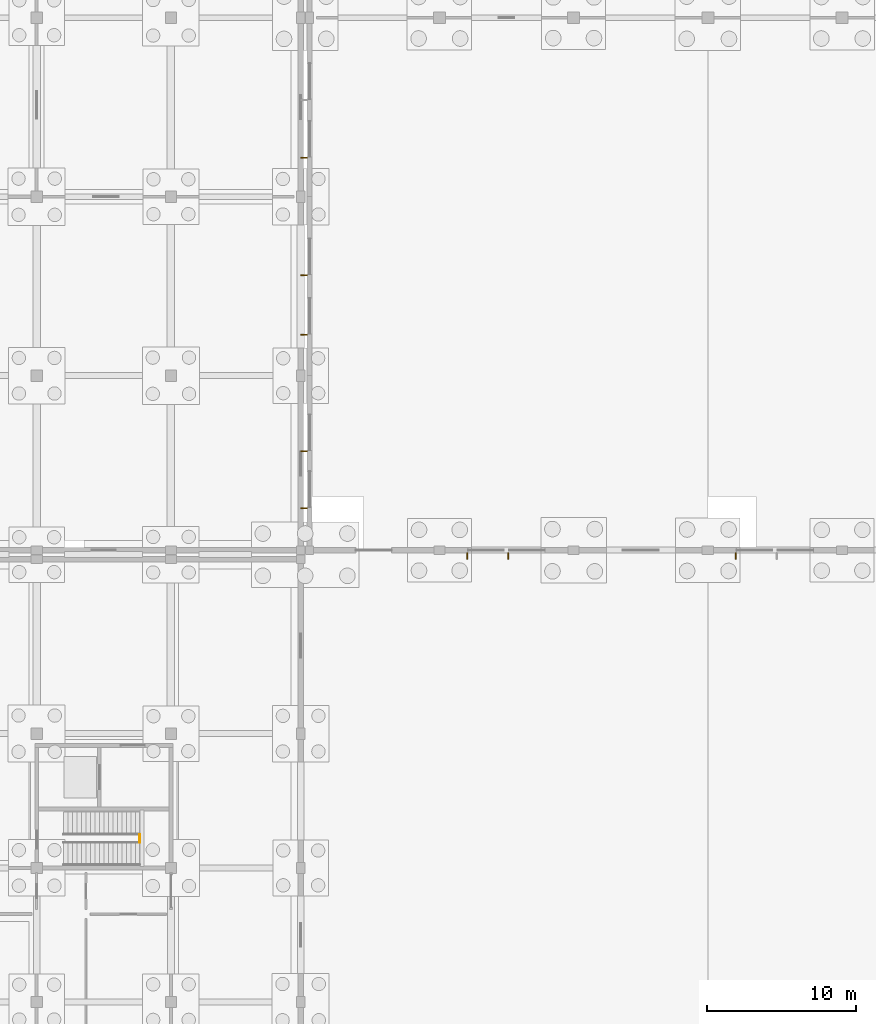
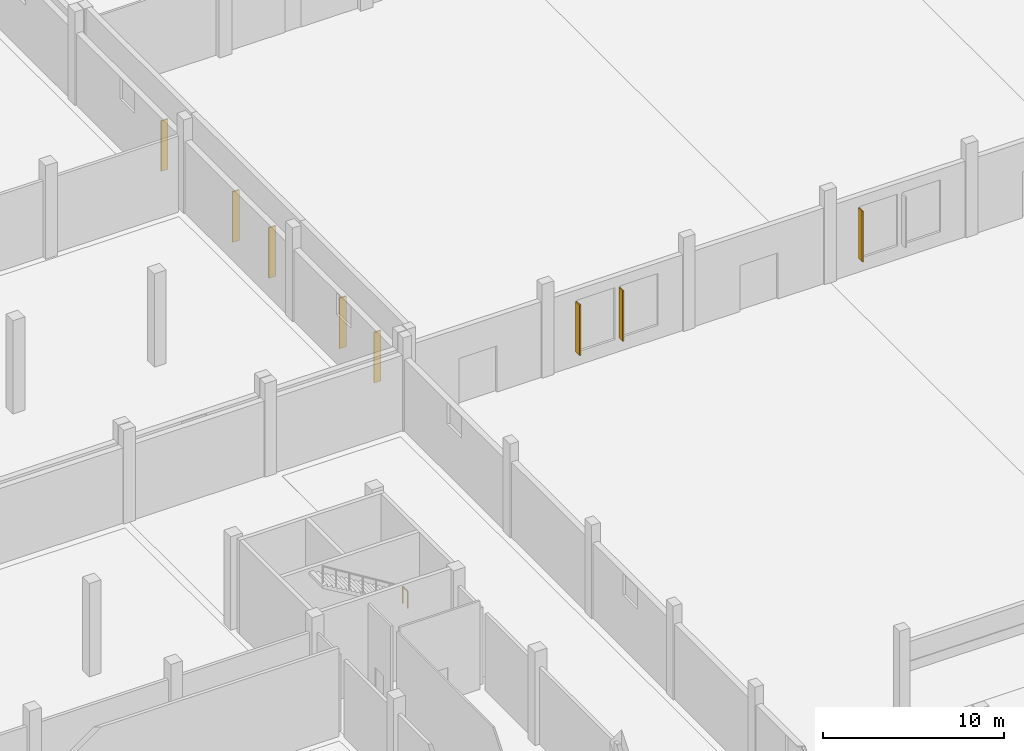
# One storey, part 87 of 99: 8 shading devices, 1 railing.
"""IFC4 building model written with IfcOpenShell, lengths in metres."""

from ifc_helpers import new_model, si_unit, direction, frame, origin, origin_2d, place, context, subcontext, project, spatial, rectangle, circle, extrude, material, type_object, element, save


model = new_model("IFC4")

# Units and contexts
model_context = context("Model", 3, precision=1e-05, world=origin(), true_north=direction((0.0, 1.0)))
body_context = subcontext(model_context, "Body", "Model", "MODEL_VIEW")
ifc_project = project(units=[si_unit("LENGTHUNIT", "METRE"), si_unit("AREAUNIT", "SQUARE_METRE"), si_unit("VOLUMEUNIT", "CUBIC_METRE"), si_unit("PLANEANGLEUNIT", "RADIAN"), si_unit("MASSUNIT", "GRAM", prefix="KILO")], contexts=[model_context])

# Site, building, storey
site_placement = place(None, origin())
site = spatial("IfcSite", under=ifc_project, at=site_placement, CompositionType="ELEMENT")
building_placement = place(site_placement, origin())
building = spatial("IfcBuilding", under=site, at=building_placement, Name="Zacnel Wholesale Market", CompositionType="ELEMENT")
storey_placement = place(building_placement, origin())
storey = spatial("IfcBuildingStorey", under=building, at=storey_placement, Name="L01", CompositionType="ELEMENT", Elevation=0.0)

# Railing
ifc_material_1 = material(Name="Galvanized steel", Category="steel")
railing_type = type_object("IfcRailingType", Name="RAL-STAIR-GD1150", PredefinedType="BALUSTRADE", material=ifc_material_1)
railing_placement = place(storey_placement, frame((60.909912109375, 76.699951171875, 3.14990234375)))
element("IfcRailing", 1, at=railing_placement, inside=storey, type_object=railing_type, Name="Stair balustrade INT-STAIR-ST-09-GDIN-2", PredefinedType="BALUSTRADE", context=body_context, shape_type="SweptSolid", body=[
    extrude(circle(Radius=0.02392578125, at=origin_2d()), frame((0.0, 0.0, 1.1259765625), z_axis=(0.0, 1.0, 0.0), x_axis=(-1.0, 0.0, 0.0)), (0.0, 0.0, 1.0), 0.550048828125),
    extrude(circle(Radius=0.02099609375, at=origin_2d()), origin(), (0.0, 0.0, 1.0), 1.101806640625),
    extrude(circle(Radius=0.02099609375, at=origin_2d()), frame((0.0, 0.550048828125, 0.0)), (0.0, 0.0, 1.0), 1.101806640625),
])

# Shading devices
ifc_material_2 = material(Name="Honed Yucatan Maya cream limestone", Category="masonry")
shading_device_type = type_object("IfcShadingDeviceType", Name="SHD-FIN-V450", PredefinedType="USERDEFINED", material=ifc_material_2)
for number, where, z_axis, x_axis, name in (
    (2, (82.864990234375, 95.919921875, 0.949951171875), (0.0, 0.0, 1.0), (1.0, 0.0, 0.0), "Limestone sunshade fin 0071"),
    (3, (85.614990234375, 95.919921875, 0.949951171875), (0.0, 0.0, 1.0), (1.0, 0.0, 0.0), "Limestone sunshade fin 0072"),
    (4, (100.864990234375, 95.919921875, 0.949951171875), (0.0, 0.0, 1.0), (1.0, 0.0, 0.0), "Limestone sunshade fin 0073"),
    (5, (71.919921875, 99.123046875, 0.949951171875), (0.0, 0.0, 1.0), (0.0, 1.0, 0.0), "Limestone sunshade fin 0081"),
    (6, (71.919921875, 102.931884765625, 0.949951171875), (0.0, 0.0, 1.0), (0.0, 1.0, 0.0), "Limestone sunshade fin 0082"),
    (7, (71.919921875, 110.739990234375, 0.949951171875), (0.0, 0.0, 1.0), (0.0, 1.0, 0.0), "Limestone sunshade fin 0083"),
    (8, (71.919921875, 114.739990234375, 0.949951171875), (0.0, 0.0, 1.0), (0.0, 1.0, 0.0), "Limestone sunshade fin 0084"),
    (9, (71.919921875, 122.614990234375, 0.949951171875), (0.0, 0.0, 1.0), (0.0, 1.0, 0.0), "Limestone sunshade fin 0085"),
):
    element("IfcShadingDevice", number, at=place(storey_placement, frame(where, z_axis=z_axis, x_axis=x_axis)), inside=storey, type_object=shading_device_type, Name=name, ObjectType="SUNSHADE", PredefinedType="USERDEFINED", context=body_context, shape_type="SweptSolid", body=[
        extrude(rectangle(XDim=0.080078125, YDim=0.43994140625, at=origin_2d()), origin(), (0.0, 0.0, 1.0), 3.39990234375),
    ])

save(model, "model.ifc")
